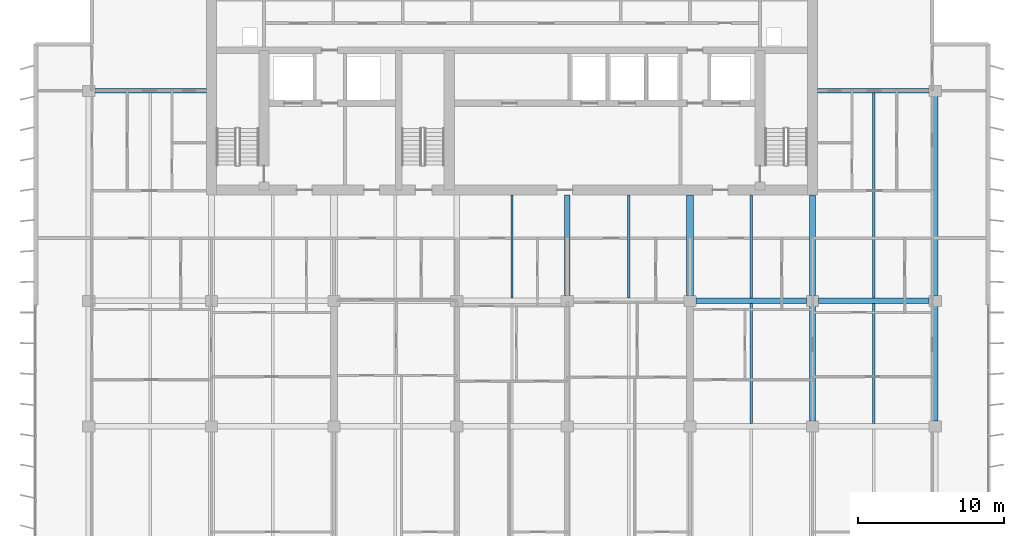
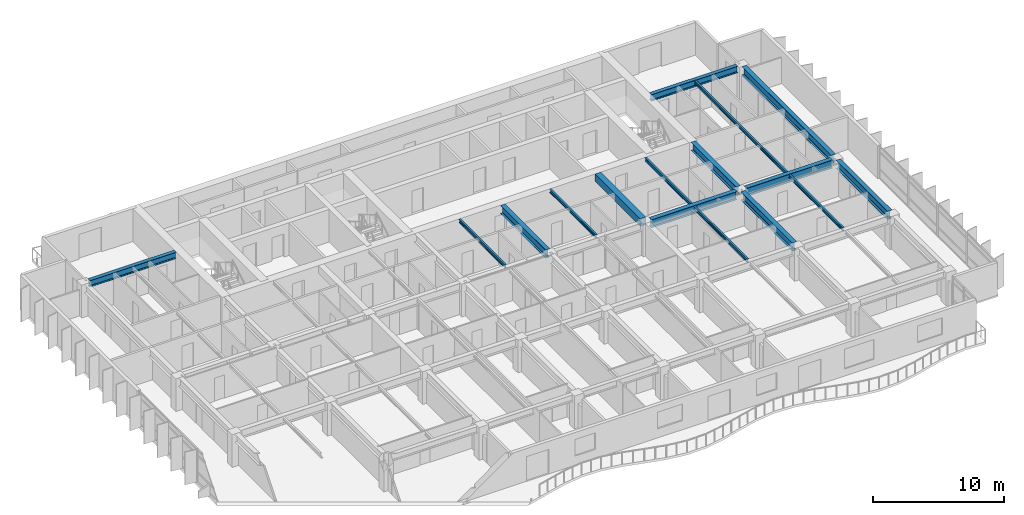
# One storey, part 4 of 18: 16 beams.
"""IFC4 building model written with IfcOpenShell, lengths in metres."""

from ifc_helpers import new_model, si_unit, direction, frame, origin, origin_2d, place, context, subcontext, project, spatial, rectangle, i_section, extrude, material, material_profile, profile_set, type_object, element, save


model = new_model("IFC4")

# Units and contexts
model_context = context("Model", 3, precision=1e-05, world=origin(), true_north=direction((0.0, 1.0)))
body_context = subcontext(model_context, "Body", "Model", "MODEL_VIEW")
ifc_project = project(units=[si_unit("LENGTHUNIT", "METRE"), si_unit("AREAUNIT", "SQUARE_METRE"), si_unit("VOLUMEUNIT", "CUBIC_METRE"), si_unit("PLANEANGLEUNIT", "RADIAN"), si_unit("MASSUNIT", "GRAM", prefix="KILO")], contexts=[model_context])

# Site, building, storey
site_placement = place(None, origin())
site = spatial("IfcSite", under=ifc_project, at=site_placement, CompositionType="ELEMENT")
building_placement = place(site_placement, origin())
building = spatial("IfcBuilding", under=site, at=building_placement, Name="Caelmar Bay Residences", CompositionType="ELEMENT")
storey_placement = place(building_placement, frame((0.0, 0.0, 170.39990234375)))
storey = spatial("IfcBuildingStorey", under=building, at=storey_placement, Name="L47", CompositionType="ELEMENT", Elevation=170.39990234375)

# Beams
ifc_material_1 = material(Name="Steel ASTM A992 Grade 50", Category="steel")
ifc_material_profile_1 = material_profile(ifc_material_1, i_section(OverallWidth=0.381103515625, OverallDepth=0.77197265625, WebThickness=0.0166015625, FlangeThickness=0.027099609375, FilletRadius=0.0166015625, at=origin_2d()), Name="W30X173")
ifc_profile_set_1 = profile_set([ifc_material_profile_1], Name="Steel ASTM A992 Grade 50")
beam_type_1 = type_object("IfcBeamType", Name="BM-GRD-W30X173", PredefinedType="BEAM", material=ifc_profile_set_1)
for number, where, z_axis, x_axis, name in (
    (1, (51.514892578125, 29.39990234375, 2.6640625), (1.0, 0.0, 0.0), (0.0, 1.0, 0.0), "L47 East-West Girder Y=29.40 (51.1-59.5)"),
    (2, (59.9150390625, 29.39990234375, 2.6640625), (1.0, 0.0, 0.0), (0.0, 1.0, 0.0), "L47 East-West Girder Y=29.40 (59.5-67.9)"),
):
    element("IfcBeam", number, at=place(storey_placement, frame(where, z_axis=z_axis, x_axis=x_axis)), inside=storey, type_object=beam_type_1, Name=name, PredefinedType="BEAM", context=body_context, shape_type="SweptSolid", body=[
        extrude(i_section(OverallWidth=0.381103515625, OverallDepth=0.77197265625, WebThickness=0.0166015625, FlangeThickness=0.027099609375, FilletRadius=0.0166015625, at=origin_2d()), origin(), (0.0, 0.0, 1.0), 7.570068359375),
    ])
for number, where, z_axis, x_axis, name in (
    (3, (42.699951171875, 29.764892578125, 2.6640625), (0.0, 1.0, 0.0), (-1.0, 0.0, 0.0), "L47 Core Tie Girder X=42.70"),
    (4, (59.5, 29.764892578125, 2.6640625), (0.0, 1.0, 0.0), (-1.0, 0.0, 0.0), "L47 Core Tie Girder X=59.50"),
):
    element("IfcBeam", number, at=place(storey_placement, frame(where, z_axis=z_axis, x_axis=x_axis)), inside=storey, type_object=beam_type_1, Name=name, PredefinedType="BEAM", context=body_context, shape_type="SweptSolid", body=[
        extrude(i_section(OverallWidth=0.381103515625, OverallDepth=0.77197265625, WebThickness=0.0166015625, FlangeThickness=0.027099609375, FilletRadius=0.0166015625, at=origin_2d()), origin(), (0.0, 0.0, 1.0), 6.885009765625),
    ])
for number, where, z_axis, x_axis, name in (
    (5, (59.5, 21.1650390625, 2.6640625), (0.0, 1.0, 0.0), (-1.0, 0.0, 0.0), "L47 North-South Girder X=59.50 (20.8-29.4)"),
    (6, (67.89990234375, 21.1650390625, 2.6640625), (0.0, 1.0, 0.0), (-1.0, 0.0, 0.0), "L47 North-South Girder X=67.90 (20.8-29.4)"),
):
    element("IfcBeam", number, at=place(storey_placement, frame(where, z_axis=z_axis, x_axis=x_axis)), inside=storey, type_object=beam_type_1, Name=name, PredefinedType="BEAM", context=body_context, shape_type="SweptSolid", body=[
        extrude(i_section(OverallWidth=0.381103515625, OverallDepth=0.77197265625, WebThickness=0.0166015625, FlangeThickness=0.027099609375, FilletRadius=0.0166015625, at=origin_2d()), origin(), (0.0, 0.0, 1.0), 7.869873046875),
    ])
beam_1_placement = place(storey_placement, frame((67.89990234375, 29.764892578125, 2.6640625), z_axis=(0.0, 1.0, 0.0), x_axis=(-1.0, 0.0, 0.0)))
element("IfcBeam", 7, at=beam_1_placement, inside=storey, type_object=beam_type_1, Name="L47 North-South Girder X=67.90 (29.4-43.8)", PredefinedType="BEAM", context=body_context, shape_type="SweptSolid", body=[
    extrude(i_section(OverallWidth=0.381103515625, OverallDepth=0.77197265625, WebThickness=0.0166015625, FlangeThickness=0.027099609375, FilletRadius=0.0166015625, at=origin_2d()), origin(), (0.0, 0.0, 1.0), 13.670166015625),
])
ifc_material_profile_2 = material_profile(ifc_material_1, i_section(OverallWidth=0.1650390625, OverallDepth=0.31005859375, WebThickness=0.005859375, FlangeThickness=0.009765625, FilletRadius=0.007568359375, at=origin_2d()), Name="W12X26")
ifc_profile_set_2 = profile_set([ifc_material_profile_2], Name="Steel ASTM A992 Grade 50")
beam_type_2 = type_object("IfcBeamType", Name="BM-JST-W12X26", PredefinedType="JOIST", material=ifc_profile_set_2)
for number, where, z_axis, x_axis, name in (
    (8, (55.300048828125, 20.990478515625, 2.89501953125), (0.0, 1.0, 0.0), (-1.0, 0.0, 0.0), "L47 Composite Floor Joist 13"),
    (9, (63.699951171875, 20.990478515625, 2.89501953125), (0.0, 1.0, 0.0), (-1.0, 0.0, 0.0), "L47 Composite Floor Joist 14"),
):
    element("IfcBeam", number, at=place(storey_placement, frame(where, z_axis=z_axis, x_axis=x_axis)), inside=storey, type_object=beam_type_2, Name=name, PredefinedType="JOIST", context=body_context, shape_type="SweptSolid", body=[
        extrude(i_section(OverallWidth=0.1650390625, OverallDepth=0.31005859375, WebThickness=0.005859375, FlangeThickness=0.009765625, FilletRadius=0.007568359375, at=origin_2d()), origin(), (0.0, 0.0, 1.0), 8.218994140625),
    ])
for number, where, z_axis, x_axis, name in (
    (10, (38.89990234375, 29.590576171875, 2.89501953125), (0.0, 1.0, 0.0), (-1.0, 0.0, 0.0), "L47 Core-Band Composite Joist 17"),
    (11, (46.89990234375, 29.590576171875, 2.89501953125), (0.0, 1.0, 0.0), (-1.0, 0.0, 0.0), "L47 Core-Band Composite Joist 18"),
    (12, (55.300048828125, 29.590576171875, 2.89501953125), (0.0, 1.0, 0.0), (-1.0, 0.0, 0.0), "L47 Core-Band Composite Joist 19"),
):
    element("IfcBeam", number, at=place(storey_placement, frame(where, z_axis=z_axis, x_axis=x_axis)), inside=storey, type_object=beam_type_2, Name=name, PredefinedType="JOIST", context=body_context, shape_type="SweptSolid", body=[
        extrude(i_section(OverallWidth=0.1650390625, OverallDepth=0.31005859375, WebThickness=0.005859375, FlangeThickness=0.009765625, FilletRadius=0.007568359375, at=origin_2d()), origin(), (0.0, 0.0, 1.0), 7.059326171875),
    ])
beam_2_placement = place(storey_placement, frame((63.699951171875, 29.590576171875, 2.89501953125), z_axis=(0.0, 1.0, 0.0), x_axis=(-1.0, 0.0, 0.0)))
element("IfcBeam", 13, at=beam_2_placement, inside=storey, type_object=beam_type_2, Name="L47 Composite Floor Joist 21", PredefinedType="JOIST", context=body_context, shape_type="SweptSolid", body=[
    extrude(i_section(OverallWidth=0.1650390625, OverallDepth=0.31005859375, WebThickness=0.005859375, FlangeThickness=0.009765625, FilletRadius=0.007568359375, at=origin_2d()), origin(), (0.0, 0.0, 1.0), 14.046875),
])
ifc_material_2 = material(Name="Concrete f'c 55 MPa (8,000 psi)", Category="concrete")
ifc_material_profile_3 = material_profile(ifc_material_2, rectangle(XDim=0.5, YDim=0.699951171875, at=origin_2d()), Name="RC-BM-500X700")
ifc_profile_set_3 = profile_set([ifc_material_profile_3], Name="Concrete f'c 55 MPa (8,000 psi)")
beam_type_3 = type_object("IfcBeamType", Name="BM-RC-500X700", PredefinedType="LINTEL", material=ifc_profile_set_3)
beam_3_placement = place(storey_placement, frame((51.10009765625, 29.764892578125, 2.7001953125), z_axis=(0.0, 1.0, 0.0), x_axis=(-1.0, 0.0, 0.0)))
element("IfcBeam", 14, at=beam_3_placement, inside=storey, type_object=beam_type_3, Name="L47 Shear-Wall Corridor Coupling Lintel E8", PredefinedType="LINTEL", context=body_context, shape_type="SweptSolid", body=[
    extrude(rectangle(XDim=0.5, YDim=0.699951171875, at=origin_2d()), origin(), (0.0, 0.0, 1.0), 6.885009765625),
])
ifc_material_profile_4 = material_profile(ifc_material_1, i_section(OverallWidth=0.324951171875, OverallDepth=0.616943359375, WebThickness=0.013916015625, FlangeThickness=0.021484375, FilletRadius=0.0126953125, at=origin_2d()), Name="W24X117")
ifc_profile_set_4 = profile_set([ifc_material_profile_4], Name="Steel ASTM A992 Grade 50")
beam_type_4 = type_object("IfcBeamType", Name="BM-SPN-W24X117", PredefinedType="SPANDREL", material=ifc_profile_set_4)
for number, where, z_axis, x_axis, name in (
    (15, (10.31494140625, 43.800048828125, 2.74169921875), (1.0, 0.0, 0.0), (0.0, 1.0, 0.0), "L47 North-West Wing Core Tie Girder"),
    (16, (59.85009765625, 43.800048828125, 2.74169921875), (1.0, 0.0, 0.0), (0.0, 1.0, 0.0), "L47 North-East Wing Core Tie Girder"),
):
    element("IfcBeam", number, at=place(storey_placement, frame(where, z_axis=z_axis, x_axis=x_axis)), inside=storey, type_object=beam_type_4, Name=name, PredefinedType="SPANDREL", context=body_context, shape_type="SweptSolid", body=[
        extrude(i_section(OverallWidth=0.324951171875, OverallDepth=0.616943359375, WebThickness=0.013916015625, FlangeThickness=0.021484375, FilletRadius=0.0126953125, at=origin_2d()), origin(), (0.0, 0.0, 1.0), 7.635009765625),
    ])

save(model, "model.ifc")
